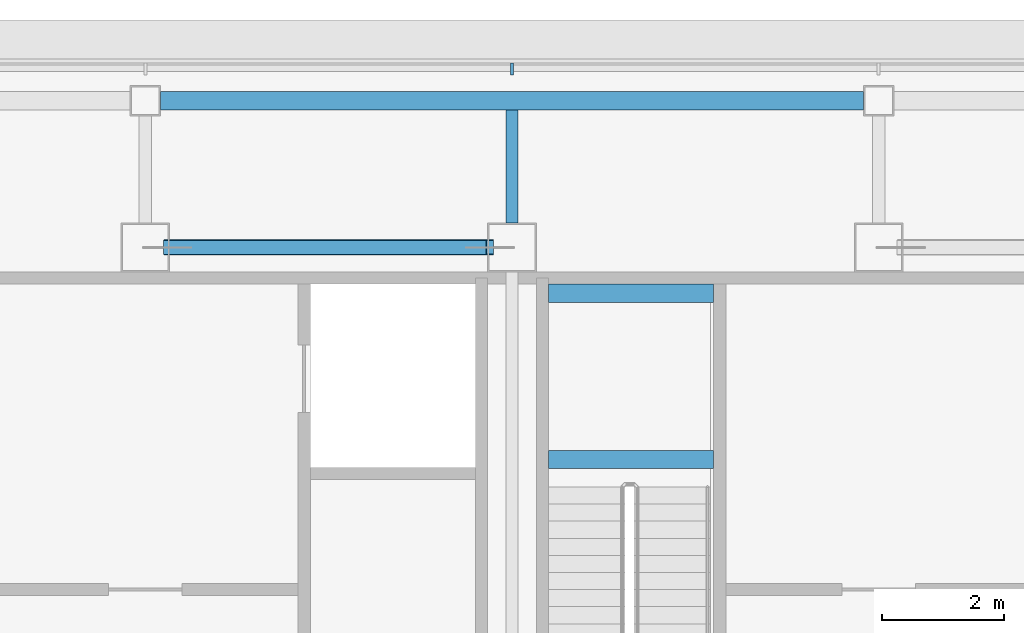
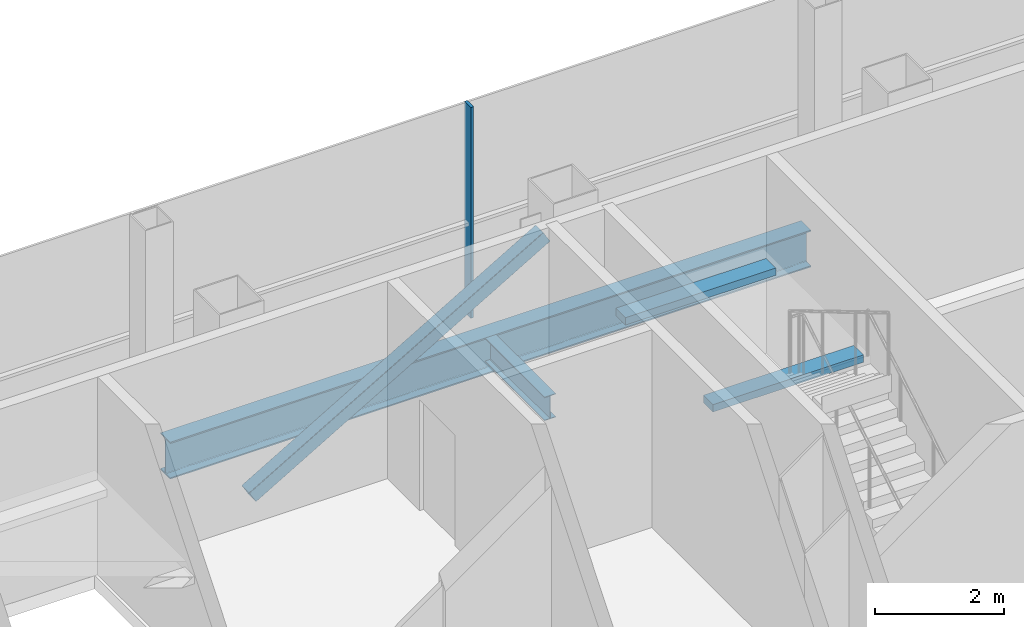
# One storey, part 11 of 26: 4 beams, 2 members, 1 element without a shape of its own.
"""IFC4 building model written with IfcOpenShell, lengths in metres."""

from ifc_helpers import new_model, si_unit, direction, frame, origin, origin_2d, place, context, subcontext, project, spatial, rectangle, hollow_rectangle, i_section, extrude, material, material_profile, profile_set, type_object, element, aggregate, save


model = new_model("IFC4")

# Units and contexts
model_context = context("Model", 3, precision=1e-05, world=origin(), true_north=direction((0.0, 1.0)))
body_context = subcontext(model_context, "Body", "Model", "MODEL_VIEW")
ifc_project = project(units=[si_unit("LENGTHUNIT", "METRE"), si_unit("AREAUNIT", "SQUARE_METRE"), si_unit("VOLUMEUNIT", "CUBIC_METRE"), si_unit("PLANEANGLEUNIT", "RADIAN"), si_unit("MASSUNIT", "GRAM", prefix="KILO")], contexts=[model_context])

# Site, building, storey
site_placement = place(None, origin())
site = spatial("IfcSite", under=ifc_project, at=site_placement, CompositionType="ELEMENT")
building_placement = place(site_placement, origin())
building = spatial("IfcBuilding", under=site, at=building_placement, Name="Sorahane Residences", CompositionType="ELEMENT")
storey_placement = place(building_placement, frame((0.0, 0.0, 337.800048828125)))
storey = spatial("IfcBuildingStorey", under=building, at=storey_placement, Name="L80", CompositionType="ELEMENT", Elevation=337.800048828125)

# Member
ifc_material_1 = material(Name="Steel Q355B", Category="steel")
ifc_material_profile_1 = material_profile(ifc_material_1, hollow_rectangle(XDim=0.25, YDim=0.25, WallThickness=0.011962890625, InnerFilletRadius=0.006103515625, OuterFilletRadius=0.01806640625, at=origin_2d()), Name="RHS 250x250x12")
ifc_profile_set_1 = profile_set([ifc_material_profile_1], Name="Steel Q355B")
member_type_1 = type_object("IfcMemberType", Name="Core brace RHS 250x250x12 Q355B", PredefinedType="BRACE", material=ifc_profile_set_1)
member_1_placement = place(storey_placement, frame((12.362060546875, 45.60009765625, 0.102783203125), z_axis=(0.862574842184, 0.0, 0.505929482864), x_axis=(0.0, 1.0, 0.0)))
element("IfcMember", 1, at=member_1_placement, inside=storey, type_object=member_type_1, Name="Core brace L80 y45.6-2", PredefinedType="BRACE", context=body_context, shape_type="SweptSolid", body=[
    extrude(hollow_rectangle(XDim=0.25, YDim=0.25, WallThickness=0.011962890625, InnerFilletRadius=0.006103515625, OuterFilletRadius=0.01806640625, at=origin_2d()), origin(), (0.0, 0.0, 1.0), 6.116455078125),
])

# Curtain wall, member
ifc_material_2 = material(Name="Dark low-e glass and black anodised aluminium", Category="aluminium")
curtain_wall_type = type_object("IfcCurtainWallType", Name="Curtain wall CW-6 Crown unitised wall", PredefinedType="NOTDEFINED", material=ifc_material_2)
curtain_wall_placement = place(storey_placement, origin())
curtain_wall = element("IfcCurtainWall", 2, at=curtain_wall_placement, inside=storey, type_object=curtain_wall_type, Name="CW-6 curtain wall L80 N1", PredefinedType="NOTDEFINED")
ifc_material_3 = material(Name="Black anodised aluminium", Category="aluminium")
ifc_material_profile_2 = material_profile(ifc_material_3, rectangle(XDim=0.199951171875, YDim=0.050048828125, at=origin_2d()), Name="Curtain wall mullion CW-6 black anodised aluminium 50x200")
ifc_profile_set_2 = profile_set([ifc_material_profile_2], Name="Black anodised aluminium")
member_type_2 = type_object("IfcMemberType", Name="Curtain wall mullion CW-6 black anodised aluminium 50x200", PredefinedType="MULLION", material=ifc_profile_set_2)
member_2_placement = place(storey_placement, frame((18.0, 48.52001953125, -0.25), z_axis=(0.0, 0.0, 1.0), x_axis=(0.0, 1.0, 0.0)))
member_2 = element("IfcMember", 3, at=member_2_placement, type_object=member_type_2, Name="CW-6 mullion L80 N1.6", PredefinedType="MULLION", context=body_context, shape_type="SweptSolid", body=[
    extrude(rectangle(XDim=0.199951171875, YDim=0.050048828125, at=origin_2d()), origin(), (0.0, 0.0, 1.0), 4.0),
])
aggregate(curtain_wall, [member_2])

# Beams
ifc_material_4 = material(Name="Concrete C40", Category="concrete")
ifc_material_profile_3 = material_profile(ifc_material_4, rectangle(XDim=0.300048828125, YDim=0.139892578125, at=origin_2d()), Name="300x140")
ifc_profile_set_3 = profile_set([ifc_material_profile_3], Name="Concrete C40")
beam_type_1 = type_object("IfcBeamType", Name="RC landing beam 300 x 140 Concrete C40", PredefinedType="BEAM", material=ifc_profile_set_3)
for number, where, z_axis, x_axis, name in (
    (4, (18.60009765625, 42.1298828125, 1.72998046875), (1.0, 0.0, 0.0), (0.0, 1.0, 0.0), "Landing beam"),
    (5, (18.60009765625, 44.85009765625, 1.72998046875), (1.0, 0.0, 0.0), (0.0, 1.0, 0.0), "Landing beam"),
):
    element("IfcBeam", number, at=place(storey_placement, frame(where, z_axis=z_axis, x_axis=x_axis)), inside=storey, type_object=beam_type_1, Name=name, PredefinedType="BEAM", context=body_context, shape_type="SweptSolid", body=[
        extrude(rectangle(XDim=0.300048828125, YDim=0.139892578125, at=origin_2d()), origin(), (0.0, 0.0, 1.0), 2.699951171875),
    ])
ifc_material_5 = material(Name="Steel Q355B", Category="steel")
ifc_material_profile_4 = material_profile(ifc_material_5, i_section(OverallWidth=0.199951171875, OverallDepth=0.449951171875, WebThickness=0.009033203125, FlangeThickness=0.013916015625, FilletRadius=0.02001953125, at=origin_2d()), Name="HN 450x200x9x14")
ifc_profile_set_4 = profile_set([ifc_material_profile_4], Name="Steel Q355B")
beam_type_2 = type_object("IfcBeamType", Name="Steel floor beam HN 450x200x9x14 Q355B", PredefinedType="BEAM", material=ifc_profile_set_4)
beam_1_placement = place(storey_placement, frame((18.0, 46.0, -0.47509765625), z_axis=(0.0, 1.0, 0.0), x_axis=(-1.0, 0.0, 0.0)))
element("IfcBeam", 6, at=beam_1_placement, inside=storey, type_object=beam_type_2, Name="Beam L80 033", PredefinedType="BEAM", context=body_context, shape_type="SweptSolid", body=[
    extrude(i_section(OverallWidth=0.199951171875, OverallDepth=0.449951171875, WebThickness=0.009033203125, FlangeThickness=0.013916015625, FilletRadius=0.02001953125, at=origin_2d()), origin(), (0.0, 0.0, 1.0), 1.85009765625),
])
ifc_material_6 = material(Name="Steel Q355B", Category="steel")
ifc_material_profile_5 = material_profile(ifc_material_6, i_section(OverallWidth=0.300048828125, OverallDepth=0.699951171875, WebThickness=0.012939453125, FlangeThickness=0.02392578125, FilletRadius=0.028076171875, at=origin_2d()), Name="HN 700x300x13x24")
ifc_profile_set_5 = profile_set([ifc_material_profile_5], Name="Steel Q355B")
beam_type_3 = type_object("IfcBeamType", Name="Steel floor beam HN 700x300x13x24 Q355B", PredefinedType="BEAM", material=ifc_profile_set_5)
beam_2_placement = place(storey_placement, frame((12.25, 48.0, -0.60009765625), z_axis=(1.0, 0.0, 0.0), x_axis=(0.0, 1.0, 0.0)))
element("IfcBeam", 7, at=beam_2_placement, inside=storey, type_object=beam_type_3, Name="Beam L80 012", PredefinedType="BEAM", context=body_context, shape_type="SweptSolid", body=[
    extrude(i_section(OverallWidth=0.300048828125, OverallDepth=0.699951171875, WebThickness=0.012939453125, FlangeThickness=0.02392578125, FilletRadius=0.028076171875, at=origin_2d()), origin(), (0.0, 0.0, 1.0), 11.5),
])

save(model, "model.ifc")
